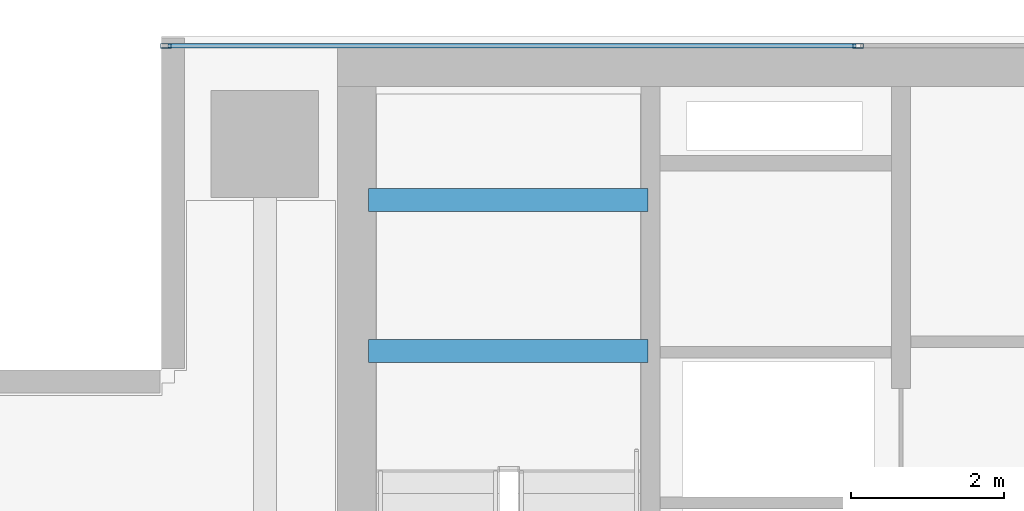
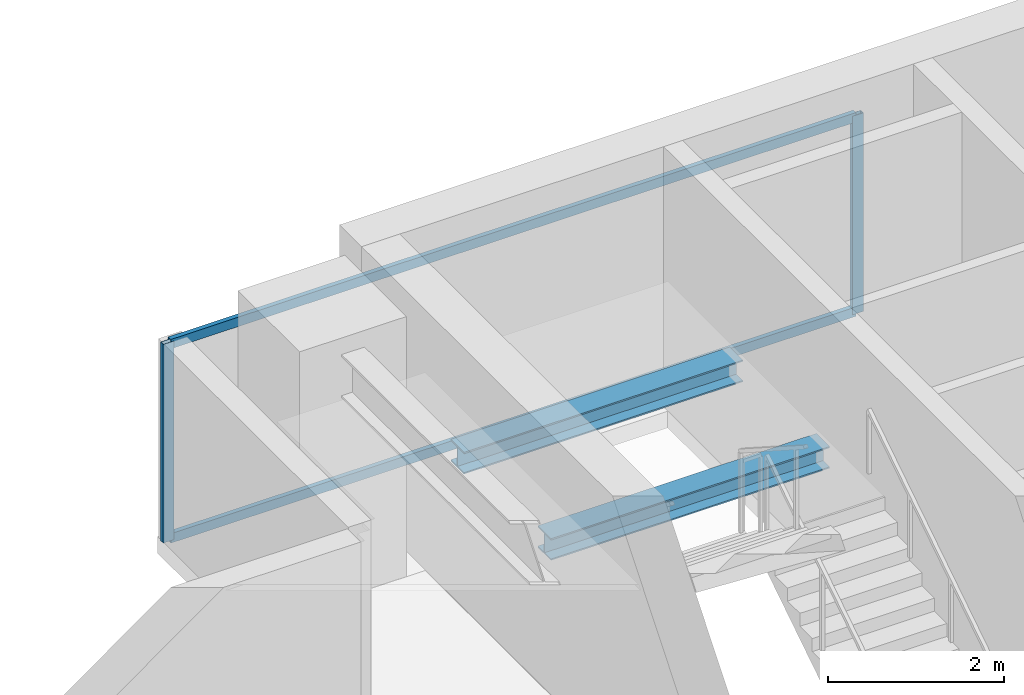
# One storey, part 15 of 25: 4 members, 2 beams, 1 element without a shape of its own.
"""IFC4 building model written with IfcOpenShell, lengths in metres."""

from ifc_helpers import new_model, si_unit, direction, frame, origin, origin_2d, place, context, subcontext, project, spatial, hollow_rectangle, i_section, extrude, source, transform, mapped, material, layer, layer_set, material_profile, profile_set, type_object, element, aggregate, save


model = new_model("IFC4")

# Units and contexts
model_context = context("Model", 3, precision=1e-05, world=origin(), true_north=direction((0.0, 1.0)))
body_context = subcontext(model_context, "Body", "Model", "MODEL_VIEW")
ifc_project = project(units=[si_unit("LENGTHUNIT", "METRE"), si_unit("AREAUNIT", "SQUARE_METRE"), si_unit("VOLUMEUNIT", "CUBIC_METRE"), si_unit("PLANEANGLEUNIT", "RADIAN"), si_unit("MASSUNIT", "GRAM", prefix="KILO")], contexts=[model_context])

# Site, building, storey
site_placement = place(None, origin())
site = spatial("IfcSite", under=ifc_project, at=site_placement, CompositionType="ELEMENT")
building_placement = place(site_placement, origin())
building = spatial("IfcBuilding", under=site, at=building_placement, Name="Sumidabori Civic Tower", CompositionType="ELEMENT")
storey_placement = place(building_placement, frame((0.0, 0.0, 246.800048828125)))
storey = spatial("IfcBuildingStorey", under=building, at=storey_placement, Name="L64", CompositionType="ELEMENT", Elevation=246.800048828125)

# Beams
ifc_material_1 = material(Name="Steel SN490", Category="steel")
ifc_material_profile_1 = material_profile(ifc_material_1, i_section(OverallWidth=0.300048828125, OverallDepth=0.300048828125, WebThickness=0.010986328125, FlangeThickness=0.01904296875, at=origin_2d()), Name="HE 300 B")
ifc_profile_set_1 = profile_set([ifc_material_profile_1], Name="Steel SN490")
beam_type = type_object("IfcBeamType", Name="BM-LDG-300", PredefinedType="BEAM", material=ifc_profile_set_1)
shared_shape_1 = source(origin(), body_context, "Body", "SweptSolid", [
    extrude(i_section(OverallWidth=0.300048828125, OverallDepth=0.300048828125, WebThickness=0.010986328125, FlangeThickness=0.01904296875, at=origin_2d()), origin(), (0.0, 0.0, 1.0), 3.64990234375),
])
for number, where, z_axis, x_axis, name in (
    (1, (-15.449951171875, 20.09765625, 1.449951171875), (1.0, 0.0, 0.0), (0.0, 1.0, 0.0), "Stair ST-1 Landing Support Beam L64-1A"),
    (2, (-15.449951171875, 22.069580078125, 1.449951171875), (1.0, 0.0, 0.0), (0.0, 1.0, 0.0), "Stair ST-1 Landing Trimmer Beam L64-1B"),
):
    element("IfcBeam", number, at=place(storey_placement, frame(where, z_axis=z_axis, x_axis=x_axis)), inside=storey, type_object=beam_type, Name=name, PredefinedType="BEAM", context=body_context, shape_type="MappedRepresentation", body=[
        mapped(shared_shape_1, transform((0.0, 0.0, 0.0), x_axis=(1.0, 0.0, 0.0), y_axis=(0.0, 1.0, 0.0), z_axis=(0.0, 0.0, 1.0), scale=1.0)),
    ])

# Curtain wall, members
ifc_material_2 = material(Name="Anodised Bronze Aluminium AW-6063-T6", Category="aluminium")
ifc_layer = layer(ifc_material_2, 0.179931640625, Name="Anodised Bronze Aluminium AW-6063-T6")
ifc_layer_set = layer_set([ifc_layer], Name="Anodised Bronze Aluminium AW-6063-T6")
curtain_wall_type = type_object("IfcCurtainWallType", Name="CW-SYS-5", PredefinedType="NOTDEFINED", material=ifc_layer_set)
curtain_wall_placement = place(storey_placement, origin())
curtain_wall = element("IfcCurtainWall", 3, at=curtain_wall_placement, inside=storey, type_object=curtain_wall_type, Name="Curtain Wall CW:L64:R07", PredefinedType="NOTDEFINED")
ifc_material_profile_2 = material_profile(ifc_material_2, hollow_rectangle(XDim=0.06005859375, YDim=0.139892578125, WallThickness=0.0048828125, at=origin_2d()), Name="ALU MULLION 140x60")
ifc_profile_set_2 = profile_set([ifc_material_profile_2], Name="Anodised Bronze Aluminium AW-6063-T6")
member_type_1 = type_object("IfcMemberType", Name="CW-MUL-140", PredefinedType="MULLION", material=ifc_profile_set_2)
shared_shape_2 = source(origin(), body_context, "Body", "SweptSolid", [
    extrude(hollow_rectangle(XDim=0.06005859375, YDim=0.139892578125, WallThickness=0.0048828125, at=origin_2d()), origin(), (0.0, 0.0, 1.0), 2.75),
])
member_1_placement = place(storey_placement, frame((-9.06005859375, 24.080078125, 0.0), z_axis=(0.0, 0.0, 1.0), x_axis=(0.0, -1.0, 0.0)))
member_1 = element("IfcMember", 4, at=member_1_placement, type_object=member_type_1, Name="CW-5 mullion 4", PredefinedType="MULLION", context=body_context, shape_type="MappedRepresentation", body=[
    mapped(shared_shape_2, transform((0.0, 0.0, 0.0), x_axis=(1.0, 0.0, 0.0), y_axis=(0.0, 1.0, 0.0), z_axis=(0.0, 0.0, 1.0), scale=1.0)),
])
member_2_placement = place(storey_placement, frame((-18.090087890625, 24.080078125, 0.0), z_axis=(0.0, 0.0, 1.0), x_axis=(0.0, -1.0, 0.0)))
member_2 = element("IfcMember", 5, at=member_2_placement, type_object=member_type_1, Name="CW-5 mullion 5", PredefinedType="MULLION", context=body_context, shape_type="MappedRepresentation", body=[
    mapped(shared_shape_2, transform((0.0, 0.0, 0.0), x_axis=(1.0, 0.0, 0.0), y_axis=(0.0, 1.0, 0.0), z_axis=(0.0, 0.0, 1.0), scale=1.0)),
])
ifc_material_profile_3 = material_profile(ifc_material_2, hollow_rectangle(XDim=0.06005859375, YDim=0.1298828125, WallThickness=0.0048828125, at=origin_2d()), Name="ALU TRANSOM 130x60")
ifc_profile_set_3 = profile_set([ifc_material_profile_3], Name="Anodised Bronze Aluminium AW-6063-T6")
member_type_2 = type_object("IfcMemberType", Name="CW-TRN-130", PredefinedType="USERDEFINED", material=ifc_profile_set_3)
shared_shape_3 = source(origin(), body_context, "Body", "SweptSolid", [
    extrude(hollow_rectangle(XDim=0.06005859375, YDim=0.1298828125, WallThickness=0.0048828125, at=origin_2d()), origin(), (0.0, 0.0, 1.0), 8.969970703125),
])
member_3_placement = place(storey_placement, frame((-9.090087890625, 24.080078125, 0.030029296875), z_axis=(-1.0, 0.0, 0.0), x_axis=(0.0, -1.0, 0.0)))
member_3 = element("IfcMember", 6, at=member_3_placement, type_object=member_type_2, Name="CW-5 transom 4.1", ObjectType="TRANSOM", PredefinedType="USERDEFINED", context=body_context, shape_type="MappedRepresentation", body=[
    mapped(shared_shape_3, transform((0.0, 0.0, 0.0), x_axis=(1.0, 0.0, 0.0), y_axis=(0.0, 1.0, 0.0), z_axis=(0.0, 0.0, 1.0), scale=1.0)),
])
member_4_placement = place(storey_placement, frame((-9.090087890625, 24.080078125, 2.719970703125), z_axis=(-1.0, 0.0, 0.0), x_axis=(0.0, -1.0, 0.0)))
member_4 = element("IfcMember", 7, at=member_4_placement, type_object=member_type_2, Name="CW-5 transom 4.2", ObjectType="TRANSOM", PredefinedType="USERDEFINED", context=body_context, shape_type="MappedRepresentation", body=[
    mapped(shared_shape_3, transform((0.0, 0.0, 0.0), x_axis=(1.0, 0.0, 0.0), y_axis=(0.0, 1.0, 0.0), z_axis=(0.0, 0.0, 1.0), scale=1.0)),
])
aggregate(curtain_wall, [member_1, member_2, member_3, member_4])

save(model, "model.ifc")
